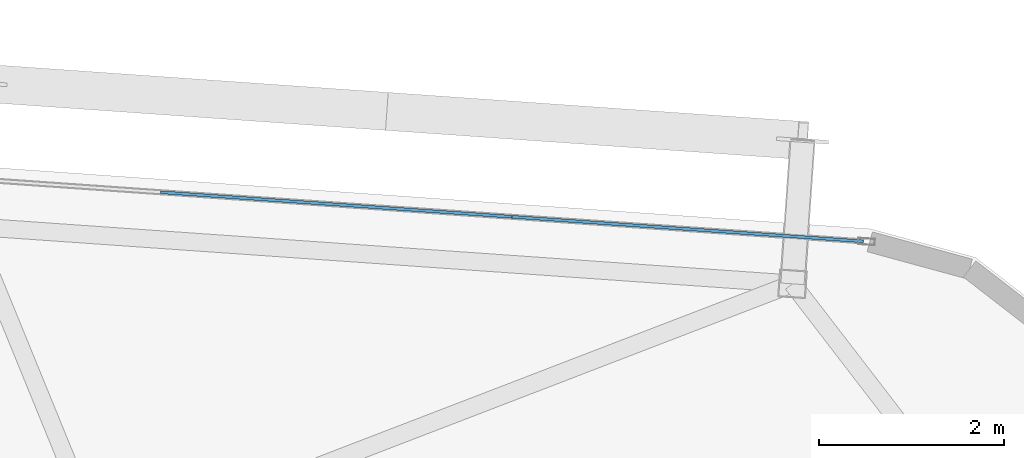
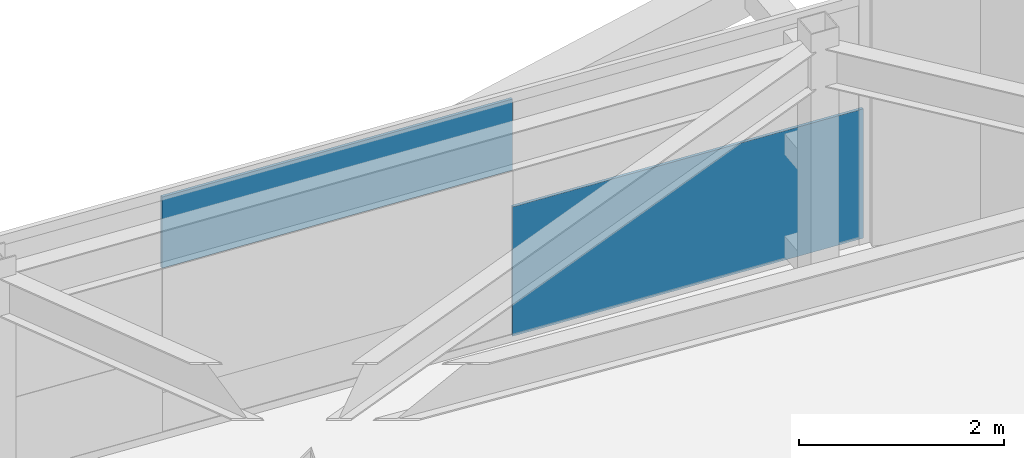
# One storey, part 26 of 39: 2 plates, 1 element without a shape of its own.
"""IFC4 building model written with IfcOpenShell, lengths in metres."""

from ifc_helpers import new_model, si_unit, direction, frame, origin, origin_2d, place, context, subcontext, project, spatial, rectangle, extrude, source, transform, mapped, material, layer, layer_set, type_object, element, aggregate, save


model = new_model("IFC4")

# Units and contexts
model_context = context("Model", 3, precision=1e-05, world=origin(), true_north=direction((0.0, 1.0)))
body_context = subcontext(model_context, "Body", "Model", "MODEL_VIEW")
ifc_project = project(units=[si_unit("LENGTHUNIT", "METRE"), si_unit("AREAUNIT", "SQUARE_METRE"), si_unit("VOLUMEUNIT", "CUBIC_METRE"), si_unit("PLANEANGLEUNIT", "RADIAN"), si_unit("MASSUNIT", "GRAM", prefix="KILO")], contexts=[model_context])

# Site, building, storey
site_placement = place(None, origin())
site = spatial("IfcSite", under=ifc_project, at=site_placement, CompositionType="ELEMENT")
building_placement = place(site_placement, origin())
building = spatial("IfcBuilding", under=site, at=building_placement, Name="Taldren Reach Tower", CompositionType="ELEMENT")
storey_placement = place(building_placement, frame((0.0, 0.0, 151.89990234375)))
storey = spatial("IfcBuildingStorey", under=building, at=storey_placement, Name="L46", CompositionType="ELEMENT", Elevation=151.89990234375)

# Curtain wall, plates
ifc_material_1 = material(Name="Aluminium and Low-E Glass Unitised System", Category="aluminium")
ifc_layer_1 = layer(ifc_material_1, 0.159912109375)
ifc_layer_set_1 = layer_set([ifc_layer_1], Name="Aluminium and Low-E Glass Unitised System")
curtain_wall_type = type_object("IfcCurtainWallType", Name="CW-SYS-4", PredefinedType="NOTDEFINED", material=ifc_layer_set_1)
curtain_wall_placement = place(storey_placement, origin())
curtain_wall = element("IfcCurtainWall", 1, at=curtain_wall_placement, inside=storey, type_object=curtain_wall_type, Name="Unitised curtain wall CW-L46-N", PredefinedType="NOTDEFINED")
ifc_material_2 = material(Name="Solar-Control Double Glazed IGU", Category="glass")
ifc_layer_2 = layer(ifc_material_2, 0.031982421875)
ifc_layer_set_2 = layer_set([ifc_layer_2], Name="Solar-Control Double Glazed IGU")
plate_type = type_object("IfcPlateType", Name="CW-PNL-IGU32", PredefinedType="CURTAIN_PANEL", material=ifc_layer_set_2)
shared_shape_1 = source(origin(), body_context, "Body", "SweptSolid", [
    extrude(rectangle(XDim=3.79833984375, YDim=0.031982421875, at=origin_2d()), origin(), (0.0, 0.0, 1.0), 0.84716796875),
])
plate_1_placement = place(storey_placement, frame((53.5166015625, 35.716796875, 2.028076171875), z_axis=(0.0, 0.0, 1.0), x_axis=(-0.99756404731, 0.06975651593, 0.0)))
plate_1 = element("IfcPlate", 2, at=plate_1_placement, type_object=plate_type, Name="CW-4 panel 1.1 part 3", PredefinedType="CURTAIN_PANEL", context=body_context, shape_type="MappedRepresentation", body=[
    mapped(shared_shape_1, transform((0.0, 0.0, 0.0), scale=1.0)),
])
shared_shape_2 = source(origin(), body_context, "Body", "SweptSolid", [
    extrude(rectangle(XDim=3.79833984375, YDim=0.031982421875, at=origin_2d()), origin(), (0.0, 0.0, 1.0), 1.537841796875),
])
plate_2_placement = place(storey_placement, frame((57.3056640625, 35.451904296875, 0.05517578125), z_axis=(0.0, 0.0, 1.0), x_axis=(-0.99756404731, 0.06975651593, 0.0)))
plate_2 = element("IfcPlate", 3, at=plate_2_placement, type_object=plate_type, Name="CW-4 panel 1.1 part 1", PredefinedType="CURTAIN_PANEL", context=body_context, shape_type="MappedRepresentation", body=[
    mapped(shared_shape_2, transform((0.0, 0.0, 0.0), scale=1.0)),
])
aggregate(curtain_wall, [plate_2, plate_1])

save(model, "model.ifc")
